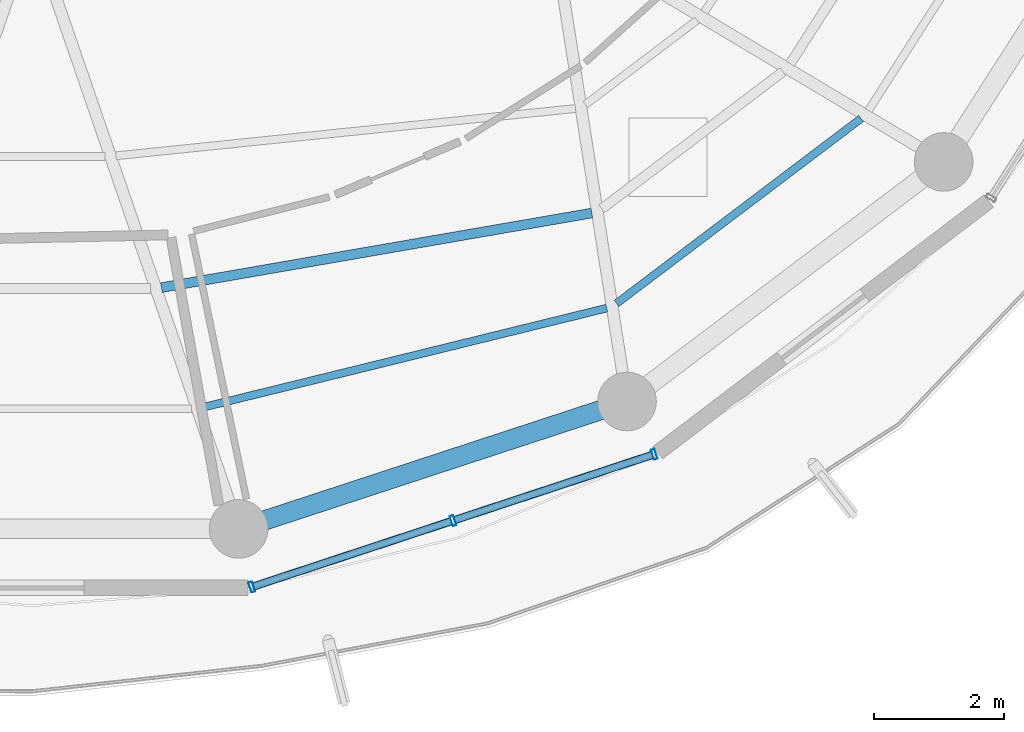
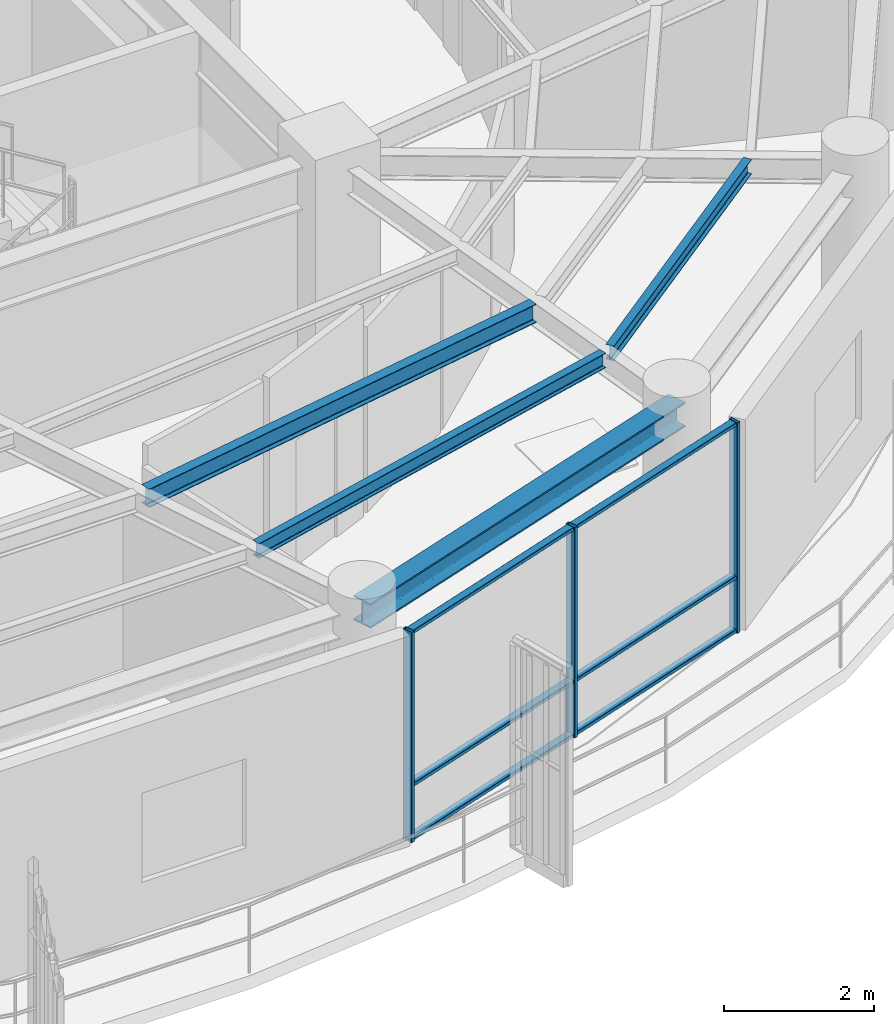
# One storey, part 5 of 23: 9 members, 4 beams, 1 element without a shape of its own.
"""IFC4 building model written with IfcOpenShell, lengths in metres."""

from ifc_helpers import new_model, si_unit, direction, frame, origin, origin_2d, place, context, subcontext, project, spatial, hollow_rectangle, i_section, extrude, material, layer, layer_set, material_profile, profile_set, type_object, element, aggregate, save


model = new_model("IFC4")

# Units and contexts
model_context = context("Model", 3, precision=1e-05, world=origin(), true_north=direction((0.0, 1.0)))
body_context = subcontext(model_context, "Body", "Model", "MODEL_VIEW")
ifc_project = project(units=[si_unit("LENGTHUNIT", "METRE"), si_unit("AREAUNIT", "SQUARE_METRE"), si_unit("VOLUMEUNIT", "CUBIC_METRE"), si_unit("PLANEANGLEUNIT", "RADIAN"), si_unit("MASSUNIT", "GRAM", prefix="KILO")], contexts=[model_context])

# Site, building, storey
site_placement = place(None, origin())
site = spatial("IfcSite", under=ifc_project, at=site_placement, CompositionType="ELEMENT")
building_placement = place(site_placement, origin())
building = spatial("IfcBuilding", under=site, at=building_placement, Name="Kelanora Arch Commons", CompositionType="ELEMENT")
storey_placement = place(building_placement, frame((0.0, 0.0, 289.949951171875)))
storey = spatial("IfcBuildingStorey", under=building, at=storey_placement, Name="L74", CompositionType="ELEMENT", Elevation=289.949951171875)

# Beams
ifc_material_1 = material(Name="Steel S355", Category="steel")
ifc_material_profile_1 = material_profile(ifc_material_1, i_section(OverallWidth=0.14990234375, OverallDepth=0.300048828125, WebThickness=0.007080078125, FlangeThickness=0.0107421875, FilletRadius=0.014892578125, at=origin_2d()), Name="IPE300")
ifc_profile_set_1 = profile_set([ifc_material_profile_1], Name="Steel S355")
beam_type_1 = type_object("IfcBeamType", Name="BM-JST-01", PredefinedType="JOIST", material=ifc_profile_set_1)
beam_1_placement = place(storey_placement, frame((75.98828125, 45.476806640625, 3.280029296875), z_axis=(0.985321568263, 0.170708544357, 0.0), x_axis=(-0.170708544357, 0.985321568263, 0.0)))
element("IfcBeam", 1, at=beam_1_placement, inside=storey, type_object=beam_type_1, Name="Secondary Chord Joist BJB-28 L74", PredefinedType="JOIST", context=body_context, shape_type="SweptSolid", body=[
    extrude(i_section(OverallWidth=0.14990234375, OverallDepth=0.300048828125, WebThickness=0.007080078125, FlangeThickness=0.0107421875, FilletRadius=0.014892578125, at=origin_2d()), origin(), (0.0, 0.0, 1.0), 6.710205078125),
])
ifc_material_profile_2 = material_profile(ifc_material_1, i_section(OverallWidth=0.1201171875, OverallDepth=0.239990234375, WebThickness=0.006103515625, FlangeThickness=0.009765625, FilletRadius=0.014892578125, at=origin_2d()), Name="IPE240")
ifc_profile_set_2 = profile_set([ifc_material_profile_2], Name="Steel S355")
beam_type_2 = type_object("IfcBeamType", Name="BM-JST-02", PredefinedType="JOIST", material=ifc_profile_set_2)
beam_2_placement = place(storey_placement, frame((76.6220703125, 43.63671875, 3.31005859375), z_axis=(0.971109719488, 0.23863342749, 0.0), x_axis=(-0.23863342749, 0.971109719488, 0.0)))
element("IfcBeam", 2, at=beam_2_placement, inside=storey, type_object=beam_type_2, Name="Secondary Chord Joist BJC-28 L74", PredefinedType="JOIST", context=body_context, shape_type="SweptSolid", body=[
    extrude(i_section(OverallWidth=0.1201171875, OverallDepth=0.239990234375, WebThickness=0.006103515625, FlangeThickness=0.009765625, FilletRadius=0.014892578125, at=origin_2d()), origin(), (0.0, 0.0, 1.0), 6.39208984375),
])
beam_3_placement = place(storey_placement, frame((82.979736328125, 45.233642578125, 3.31005859375), z_axis=(0.79752302984, 0.60328850219, 0.0), x_axis=(-0.60328850219, 0.79752302984, 0.0)))
element("IfcBeam", 3, at=beam_3_placement, inside=storey, type_object=beam_type_2, Name="Secondary Chord Joist BJC-30 L74", PredefinedType="JOIST", context=body_context, shape_type="SweptSolid", body=[
    extrude(i_section(OverallWidth=0.1201171875, OverallDepth=0.239990234375, WebThickness=0.006103515625, FlangeThickness=0.009765625, FilletRadius=0.014892578125, at=origin_2d()), origin(), (0.0, 0.0, 1.0), 4.70849609375),
])
ifc_material_profile_3 = material_profile(ifc_material_1, i_section(OverallWidth=0.300048828125, OverallDepth=0.39990234375, WebThickness=0.013427734375, FlangeThickness=0.02392578125, FilletRadius=0.027099609375, at=origin_2d()), Name="HEB400")
ifc_profile_set_3 = profile_set([ifc_material_profile_3], Name="Steel S355")
beam_type_3 = type_object("IfcBeamType", Name="BM-SPN-Z4", PredefinedType="SPANDREL", material=ifc_profile_set_3)
beam_4_placement = place(storey_placement, frame((77.17431640625, 41.7705078125, 3.22998046875), z_axis=(0.950165923039, 0.311744636996, 0.0), x_axis=(-0.311744636996, 0.950165923039, 0.0)))
element("IfcBeam", 4, at=beam_4_placement, inside=storey, type_object=beam_type_3, Name="Perimeter Spandrel Beam BS-28 L74", PredefinedType="SPANDREL", context=body_context, shape_type="SweptSolid", body=[
    extrude(i_section(OverallWidth=0.300048828125, OverallDepth=0.39990234375, WebThickness=0.013427734375, FlangeThickness=0.02392578125, FilletRadius=0.027099609375, at=origin_2d()), origin(), (0.0, 0.0, 1.0), 6.278564453125),
])

# Curtain wall, members
ifc_material_2 = material(Name="Terracotta ceramic-fritted low-E glass and aluminium", Category="masonry")
ifc_layer = layer(ifc_material_2, 0.18994140625)
ifc_layer_set = layer_set([ifc_layer], Name="Terracotta ceramic-fritted low-E glass and aluminium")
curtain_wall_type = type_object("IfcCurtainWallType", Name="CW-SYS-03", PredefinedType="NOTDEFINED", material=ifc_layer_set)
curtain_wall_placement = place(storey_placement, origin())
curtain_wall = element("IfcCurtainWall", 5, at=curtain_wall_placement, inside=storey, type_object=curtain_wall_type, Name="Unitised Curtain Wall L74-B14", PredefinedType="NOTDEFINED")
ifc_material_3 = material(Name="Powder-coated aluminium terracotta", Category="masonry")
ifc_material_profile_4 = material_profile(ifc_material_3, hollow_rectangle(XDim=0.159912109375, YDim=0.06005859375, WallThickness=0.0048828125, InnerFilletRadius=0.0048828125, OuterFilletRadius=0.010009765625, at=origin_2d()), Name="CWM160x60")
ifc_profile_set_4 = profile_set([ifc_material_profile_4], Name="Powder-coated aluminium terracotta")
member_type_1 = type_object("IfcMemberType", Name="CWM-STD", PredefinedType="MULLION", material=ifc_profile_set_4)
member_1_placement = place(storey_placement, frame((77.376708984375, 40.87841796875, 0.0), z_axis=(0.0, 0.0, 1.0), x_axis=(-0.313252785344, 0.949669780752, 0.0)))
member_1 = element("IfcMember", 6, at=member_1_placement, type_object=member_type_1, Name="CW-03 mullion 1", PredefinedType="MULLION", context=body_context, shape_type="SweptSolid", body=[
    extrude(hollow_rectangle(XDim=0.159912109375, YDim=0.06005859375, WallThickness=0.0048828125, InnerFilletRadius=0.0048828125, OuterFilletRadius=0.010009765625, at=origin_2d()), origin(), (0.0, 0.0, 1.0), 3.4150390625),
])
member_2_placement = place(storey_placement, frame((80.467041015625, 41.897705078125, 0.0), z_axis=(0.0, 0.0, 1.0), x_axis=(-0.313252785344, 0.949669780752, 0.0)))
member_2 = element("IfcMember", 7, at=member_2_placement, type_object=member_type_1, Name="CW-03 mullion 2", PredefinedType="MULLION", context=body_context, shape_type="SweptSolid", body=[
    extrude(hollow_rectangle(XDim=0.159912109375, YDim=0.06005859375, WallThickness=0.0048828125, InnerFilletRadius=0.0048828125, OuterFilletRadius=0.010009765625, at=origin_2d()), origin(), (0.0, 0.0, 1.0), 3.4150390625),
])
member_3_placement = place(storey_placement, frame((83.557373046875, 42.9169921875, 0.0), z_axis=(0.0, 0.0, 1.0), x_axis=(-0.313252785344, 0.949669780752, 0.0)))
member_3 = element("IfcMember", 8, at=member_3_placement, type_object=member_type_1, Name="CW-03 mullion 3", PredefinedType="MULLION", context=body_context, shape_type="SweptSolid", body=[
    extrude(hollow_rectangle(XDim=0.159912109375, YDim=0.06005859375, WallThickness=0.0048828125, InnerFilletRadius=0.0048828125, OuterFilletRadius=0.010009765625, at=origin_2d()), origin(), (0.0, 0.0, 1.0), 3.4150390625),
])
ifc_material_profile_5 = material_profile(ifc_material_3, hollow_rectangle(XDim=0.1201171875, YDim=0.06005859375, WallThickness=0.0048828125, InnerFilletRadius=0.0048828125, OuterFilletRadius=0.010009765625, at=origin_2d()), Name="CWT120x60")
ifc_profile_set_5 = profile_set([ifc_material_profile_5], Name="Powder-coated aluminium terracotta")
member_type_2 = type_object("IfcMemberType", Name="CWT-STD", PredefinedType="USERDEFINED", material=ifc_profile_set_5)
member_4_placement = place(storey_placement, frame((77.4052734375, 40.8876953125, 0.030029296875), z_axis=(0.949649574195, 0.313314037719, 0.0), x_axis=(-0.313314037719, 0.949649574195, 0.0)))
member_4 = element("IfcMember", 9, at=member_4_placement, type_object=member_type_2, Name="CW-03 transom 1.1", ObjectType="TRANSOM", PredefinedType="USERDEFINED", context=body_context, shape_type="SweptSolid", body=[
    extrude(hollow_rectangle(XDim=0.1201171875, YDim=0.06005859375, WallThickness=0.0048828125, InnerFilletRadius=0.0048828125, OuterFilletRadius=0.010009765625, at=origin_2d()), origin(), (0.0, 0.0, 1.0), 3.194091796875),
])
member_5_placement = place(storey_placement, frame((77.4052734375, 40.8876953125, 0.900146484375), z_axis=(0.949649574195, 0.313314037719, 0.0), x_axis=(-0.313314037719, 0.949649574195, 0.0)))
member_5 = element("IfcMember", 10, at=member_5_placement, type_object=member_type_2, Name="CW-03 transom 1.2", ObjectType="TRANSOM", PredefinedType="USERDEFINED", context=body_context, shape_type="SweptSolid", body=[
    extrude(hollow_rectangle(XDim=0.1201171875, YDim=0.06005859375, WallThickness=0.0048828125, InnerFilletRadius=0.0048828125, OuterFilletRadius=0.010009765625, at=origin_2d()), origin(), (0.0, 0.0, 1.0), 3.194091796875),
])
member_6_placement = place(storey_placement, frame((77.4052734375, 40.8876953125, 3.385009765625), z_axis=(0.949649574195, 0.313314037719, 0.0), x_axis=(-0.313314037719, 0.949649574195, 0.0)))
member_6 = element("IfcMember", 11, at=member_6_placement, type_object=member_type_2, Name="CW-03 transom 1.3", ObjectType="TRANSOM", PredefinedType="USERDEFINED", context=body_context, shape_type="SweptSolid", body=[
    extrude(hollow_rectangle(XDim=0.1201171875, YDim=0.06005859375, WallThickness=0.0048828125, InnerFilletRadius=0.0048828125, OuterFilletRadius=0.010009765625, at=origin_2d()), origin(), (0.0, 0.0, 1.0), 3.194091796875),
])
member_7_placement = place(storey_placement, frame((80.49560546875, 41.9072265625, 0.030029296875), z_axis=(0.949672315102, 0.313245102003, 0.0), x_axis=(-0.313245102003, 0.949672315102, 0.0)))
member_7 = element("IfcMember", 12, at=member_7_placement, type_object=member_type_2, Name="CW-03 transom 2.1", ObjectType="TRANSOM", PredefinedType="USERDEFINED", context=body_context, shape_type="SweptSolid", body=[
    extrude(hollow_rectangle(XDim=0.1201171875, YDim=0.06005859375, WallThickness=0.0048828125, InnerFilletRadius=0.0048828125, OuterFilletRadius=0.010009765625, at=origin_2d()), origin(), (0.0, 0.0, 1.0), 3.19384765625),
])
member_8_placement = place(storey_placement, frame((80.49560546875, 41.9072265625, 0.900146484375), z_axis=(0.949672315102, 0.313245102003, 0.0), x_axis=(-0.313245102003, 0.949672315102, 0.0)))
member_8 = element("IfcMember", 13, at=member_8_placement, type_object=member_type_2, Name="CW-03 transom 2.2", ObjectType="TRANSOM", PredefinedType="USERDEFINED", context=body_context, shape_type="SweptSolid", body=[
    extrude(hollow_rectangle(XDim=0.1201171875, YDim=0.06005859375, WallThickness=0.0048828125, InnerFilletRadius=0.0048828125, OuterFilletRadius=0.010009765625, at=origin_2d()), origin(), (0.0, 0.0, 1.0), 3.19384765625),
])
member_9_placement = place(storey_placement, frame((80.49560546875, 41.9072265625, 3.385009765625), z_axis=(0.949672315102, 0.313245102003, 0.0), x_axis=(-0.313245102003, 0.949672315102, 0.0)))
member_9 = element("IfcMember", 14, at=member_9_placement, type_object=member_type_2, Name="CW-03 transom 2.3", ObjectType="TRANSOM", PredefinedType="USERDEFINED", context=body_context, shape_type="SweptSolid", body=[
    extrude(hollow_rectangle(XDim=0.1201171875, YDim=0.06005859375, WallThickness=0.0048828125, InnerFilletRadius=0.0048828125, OuterFilletRadius=0.010009765625, at=origin_2d()), origin(), (0.0, 0.0, 1.0), 3.19384765625),
])
aggregate(curtain_wall, [member_1, member_2, member_3, member_4, member_5, member_6, member_7, member_8, member_9])

save(model, "model.ifc")
